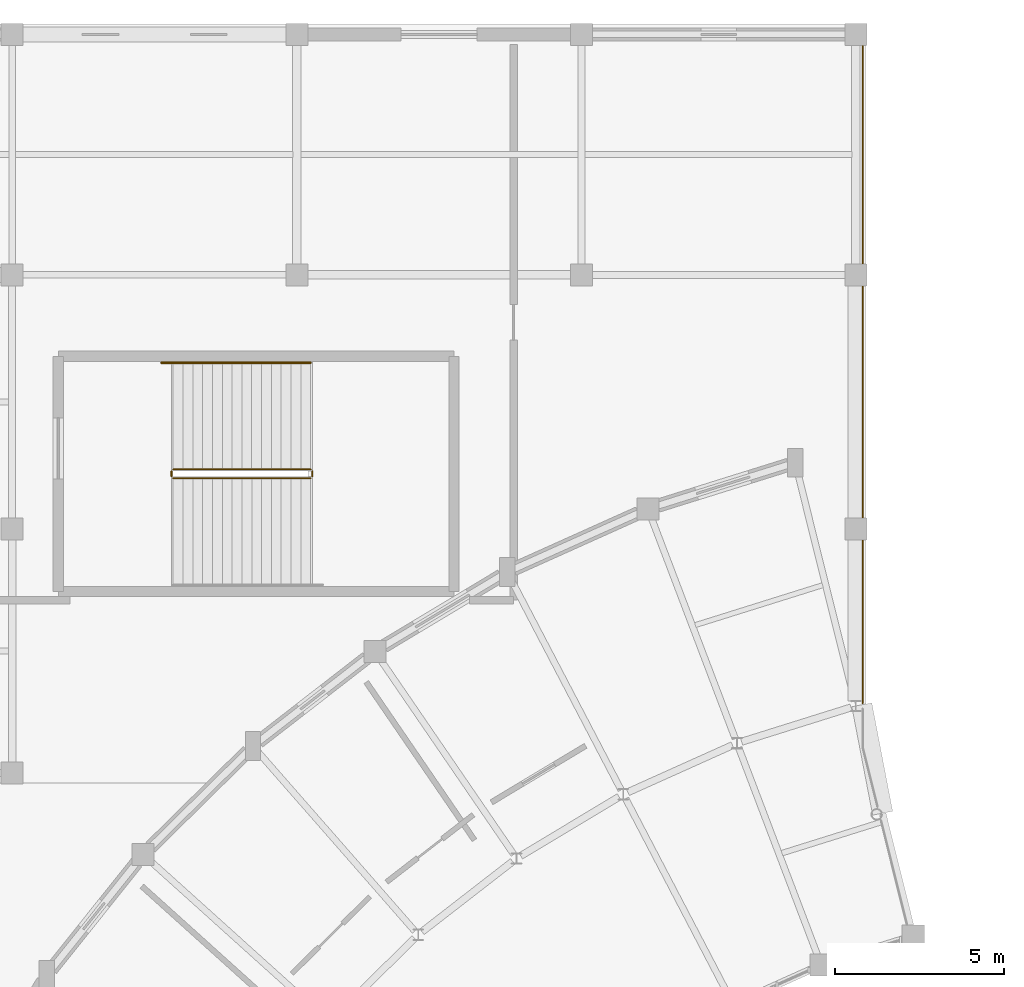
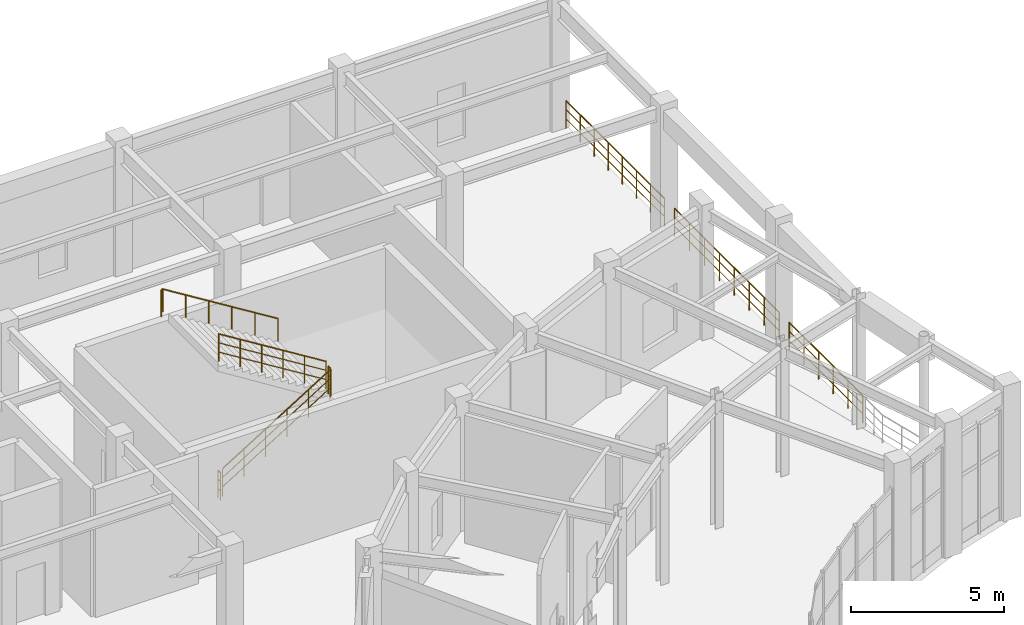
# One storey, part 89 of 93: 8 railings.
"""IFC4 building model written with IfcOpenShell, lengths in metres."""

from ifc_helpers import new_model, si_unit, direction, frame, origin, origin_2d, place, context, subcontext, project, spatial, circle, extrude, material, type_object, element, save


model = new_model("IFC4")

# Units and contexts
model_context = context("Model", 3, precision=1e-05, world=origin(), true_north=direction((0.0, 1.0)))
body_context = subcontext(model_context, "Body", "Model", "MODEL_VIEW")
ifc_project = project(units=[si_unit("LENGTHUNIT", "METRE"), si_unit("AREAUNIT", "SQUARE_METRE"), si_unit("VOLUMEUNIT", "CUBIC_METRE"), si_unit("PLANEANGLEUNIT", "RADIAN"), si_unit("MASSUNIT", "GRAM", prefix="KILO")], contexts=[model_context])

# Site, building, storey
site_placement = place(None, origin())
site = spatial("IfcSite", under=ifc_project, at=site_placement, CompositionType="ELEMENT")
building_placement = place(site_placement, origin())
building = spatial("IfcBuilding", under=site, at=building_placement, Name="Cinderbank Siding Concert Hall", CompositionType="ELEMENT")
storey_placement = place(building_placement, origin())
storey = spatial("IfcBuildingStorey", under=building, at=storey_placement, Name="L01", CompositionType="ELEMENT", Elevation=0.0)

# Railings
ifc_material = material(Name="Structural steel AS/NZS 3679.1 Grade 350 (340 MPa)", Category="steel")
railing_type_1 = type_object("IfcRailingType", Name="GD-01 Terrace & Perimeter Guardrail 1120mm", PredefinedType="GUARDRAIL", material=ifc_material)
railing_1_placement = place(storey_placement, frame((48.699951171875, 117.571533203125, 0.0)))
element("IfcRailing", 1, at=railing_1_placement, inside=storey, type_object=railing_type_1, Name="L01 Perimeter Guardrail #13", PredefinedType="GUARDRAIL", context=body_context, shape_type="SweptSolid", body=[
    extrude(circle(Radius=0.02392578125, at=origin_2d()), frame((0.0, 0.0, 1.09619140625), z_axis=(0.0, -1.0, 0.0), x_axis=(1.0, 0.0, 0.0)), (0.0, 0.0, 1.0), 6.443115234375),
    extrude(circle(Radius=0.01611328125, at=origin_2d()), frame((0.0, 0.0, 0.36962890625), z_axis=(0.0, -1.0, 0.0), x_axis=(1.0, 0.0, 0.0)), (0.0, 0.0, 1.0), 6.443115234375),
    extrude(circle(Radius=0.01611328125, at=origin_2d()), frame((0.0, 0.0, 0.7392578125), z_axis=(0.0, -1.0, 0.0), x_axis=(1.0, 0.0, 0.0)), (0.0, 0.0, 1.0), 6.443115234375),
    extrude(circle(Radius=0.02099609375, at=origin_2d()), origin(), (0.0, 0.0, 1.0), 1.072021484375),
    extrude(circle(Radius=0.02099609375, at=origin_2d()), frame((0.0, -0.92041015625, 0.0)), (0.0, 0.0, 1.0), 1.072021484375),
    extrude(circle(Radius=0.02099609375, at=origin_2d()), frame((0.0, -1.8408203125, 0.0)), (0.0, 0.0, 1.0), 1.072021484375),
    extrude(circle(Radius=0.02099609375, at=origin_2d()), frame((0.0, -2.76123046875, 0.0)), (0.0, 0.0, 1.0), 1.072021484375),
    extrude(circle(Radius=0.02099609375, at=origin_2d()), frame((0.0, -3.681884765625, 0.0)), (0.0, 0.0, 1.0), 1.072021484375),
    extrude(circle(Radius=0.02099609375, at=origin_2d()), frame((0.0, -4.602294921875, 0.0)), (0.0, 0.0, 1.0), 1.072021484375),
    extrude(circle(Radius=0.02099609375, at=origin_2d()), frame((0.0, -5.522705078125, 0.0)), (0.0, 0.0, 1.0), 1.072021484375),
    extrude(circle(Radius=0.02099609375, at=origin_2d()), frame((0.0, -6.443115234375, 0.0)), (0.0, 0.0, 1.0), 1.072021484375),
])
railing_2_placement = place(storey_placement, frame((48.699951171875, 110.4716796875, 0.0)))
element("IfcRailing", 2, at=railing_2_placement, inside=storey, type_object=railing_type_1, Name="L01 Perimeter Guardrail #14", PredefinedType="GUARDRAIL", context=body_context, shape_type="SweptSolid", body=[
    extrude(circle(Radius=0.02392578125, at=origin_2d()), frame((0.0, 0.0, 1.09619140625), z_axis=(0.0, -1.0, 0.0), x_axis=(1.0, 0.0, 0.0)), (0.0, 0.0, 1.0), 6.84326171875),
    extrude(circle(Radius=0.01611328125, at=origin_2d()), frame((0.0, 0.0, 0.36962890625), z_axis=(0.0, -1.0, 0.0), x_axis=(1.0, 0.0, 0.0)), (0.0, 0.0, 1.0), 6.84326171875),
    extrude(circle(Radius=0.01611328125, at=origin_2d()), frame((0.0, 0.0, 0.7392578125), z_axis=(0.0, -1.0, 0.0), x_axis=(1.0, 0.0, 0.0)), (0.0, 0.0, 1.0), 6.84326171875),
    extrude(circle(Radius=0.02099609375, at=origin_2d()), origin(), (0.0, 0.0, 1.0), 1.072021484375),
    extrude(circle(Radius=0.02099609375, at=origin_2d()), frame((0.0, -0.9775390625, 0.0)), (0.0, 0.0, 1.0), 1.072021484375),
    extrude(circle(Radius=0.02099609375, at=origin_2d()), frame((0.0, -1.955322265625, 0.0)), (0.0, 0.0, 1.0), 1.072021484375),
    extrude(circle(Radius=0.02099609375, at=origin_2d()), frame((0.0, -2.932861328125, 0.0)), (0.0, 0.0, 1.0), 1.072021484375),
    extrude(circle(Radius=0.02099609375, at=origin_2d()), frame((0.0, -3.910400390625, 0.0)), (0.0, 0.0, 1.0), 1.072021484375),
    extrude(circle(Radius=0.02099609375, at=origin_2d()), frame((0.0, -4.887939453125, 0.0)), (0.0, 0.0, 1.0), 1.072021484375),
    extrude(circle(Radius=0.02099609375, at=origin_2d()), frame((0.0, -5.86572265625, 0.0)), (0.0, 0.0, 1.0), 1.072021484375),
    extrude(circle(Radius=0.02099609375, at=origin_2d()), frame((0.0, -6.84326171875, 0.0)), (0.0, 0.0, 1.0), 1.072021484375),
])
railing_3_placement = place(storey_placement, frame((48.699951171875, 102.9716796875, 0.0)))
element("IfcRailing", 3, at=railing_3_placement, inside=storey, type_object=railing_type_1, Name="L01 Perimeter Guardrail #15", PredefinedType="GUARDRAIL", context=body_context, shape_type="SweptSolid", body=[
    extrude(circle(Radius=0.02392578125, at=origin_2d()), frame((0.0, 0.0, 1.09619140625), z_axis=(0.0, -1.0, 0.0), x_axis=(1.0, 0.0, 0.0)), (0.0, 0.0, 1.0), 4.812744140625),
    extrude(circle(Radius=0.01611328125, at=origin_2d()), frame((0.0, 0.0, 0.36962890625), z_axis=(0.0, -1.0, 0.0), x_axis=(1.0, 0.0, 0.0)), (0.0, 0.0, 1.0), 4.812744140625),
    extrude(circle(Radius=0.01611328125, at=origin_2d()), frame((0.0, 0.0, 0.7392578125), z_axis=(0.0, -1.0, 0.0), x_axis=(1.0, 0.0, 0.0)), (0.0, 0.0, 1.0), 4.812744140625),
    extrude(circle(Radius=0.02099609375, at=origin_2d()), origin(), (0.0, 0.0, 1.0), 1.072021484375),
    extrude(circle(Radius=0.02099609375, at=origin_2d()), frame((0.0, -0.962646484375, 0.0)), (0.0, 0.0, 1.0), 1.072021484375),
    extrude(circle(Radius=0.02099609375, at=origin_2d()), frame((0.0, -1.925048828125, 0.0)), (0.0, 0.0, 1.0), 1.072021484375),
    extrude(circle(Radius=0.02099609375, at=origin_2d()), frame((0.0, -2.8876953125, 0.0)), (0.0, 0.0, 1.0), 1.072021484375),
    extrude(circle(Radius=0.02099609375, at=origin_2d()), frame((0.0, -3.85009765625, 0.0)), (0.0, 0.0, 1.0), 1.072021484375),
    extrude(circle(Radius=0.02099609375, at=origin_2d()), frame((0.0, -4.812744140625, 0.0)), (0.0, 0.0, 1.0), 1.072021484375),
])
railing_type_2 = type_object("IfcRailingType", Name="STG-01 Stair Well Guardrail 1120mm", PredefinedType="GUARDRAIL", material=ifc_material)
railing_4_placement = place(storey_placement, frame((28.35009765625, 104.800048828125, 0.179931640625)))
element("IfcRailing", 4, at=railing_4_placement, inside=storey, type_object=railing_type_2, Name="L01 ST-05 stair guard 1", PredefinedType="GUARDRAIL", context=body_context, shape_type="SweptSolid", body=[
    extrude(circle(Radius=0.02392578125, at=origin_2d()), frame((0.0, 0.0, 1.09619140625), z_axis=(0.849627535208, 0.0, 0.527383211162), x_axis=(0.0, 1.0, 0.0)), (0.0, 0.0, 1.0), 4.7783203125),
    extrude(circle(Radius=0.01611328125, at=origin_2d()), frame((0.0, 0.0, 0.36962890625), z_axis=(0.849627535208, 0.0, 0.527383211162), x_axis=(0.0, 1.0, 0.0)), (0.0, 0.0, 1.0), 4.7783203125),
    extrude(circle(Radius=0.01611328125, at=origin_2d()), frame((0.0, 0.0, 0.7392578125), z_axis=(0.849627535208, 0.0, 0.527383211162), x_axis=(0.0, 1.0, 0.0)), (0.0, 0.0, 1.0), 4.7783203125),
    extrude(circle(Radius=0.02099609375, at=origin_2d()), origin(), (0.0, 0.0, 1.0), 1.072021484375),
    extrude(circle(Radius=0.02099609375, at=origin_2d()), frame((0.81201171875, 0.0, 0.50390625)), (0.0, 0.0, 1.0), 1.072021484375),
    extrude(circle(Radius=0.02099609375, at=origin_2d()), frame((1.6240234375, 0.0, 1.008056640625)), (0.0, 0.0, 1.0), 1.072021484375),
    extrude(circle(Radius=0.02099609375, at=origin_2d()), frame((2.435791015625, 0.0, 1.511962890625)), (0.0, 0.0, 1.0), 1.072021484375),
    extrude(circle(Radius=0.02099609375, at=origin_2d()), frame((3.247802734375, 0.0, 2.01611328125)), (0.0, 0.0, 1.0), 1.072021484375),
    extrude(circle(Radius=0.02099609375, at=origin_2d()), frame((4.059814453125, 0.0, 2.52001953125)), (0.0, 0.0, 1.0), 1.072021484375),
])
railing_5_placement = place(storey_placement, frame((32.4599609375, 104.85009765625, 2.699951171875)))
element("IfcRailing", 5, at=railing_5_placement, inside=storey, type_object=railing_type_2, Name="L01 ST-05 stair guard 2", PredefinedType="GUARDRAIL", context=body_context, shape_type="SweptSolid", body=[
    extrude(circle(Radius=0.02392578125, at=origin_2d()), frame((0.0, 0.0, 1.09619140625), z_axis=(0.0, 1.0, 0.0), x_axis=(-1.0, 0.0, 0.0)), (0.0, 0.0, 1.0), 0.159912109375),
    extrude(circle(Radius=0.01611328125, at=origin_2d()), frame((0.0, 0.0, 0.36962890625), z_axis=(0.0, 1.0, 0.0), x_axis=(-1.0, 0.0, 0.0)), (0.0, 0.0, 1.0), 0.159912109375),
    extrude(circle(Radius=0.01611328125, at=origin_2d()), frame((0.0, 0.0, 0.7392578125), z_axis=(0.0, 1.0, 0.0), x_axis=(-1.0, 0.0, 0.0)), (0.0, 0.0, 1.0), 0.159912109375),
    extrude(circle(Radius=0.02099609375, at=origin_2d()), origin(), (0.0, 0.0, 1.0), 1.072021484375),
    extrude(circle(Radius=0.02099609375, at=origin_2d()), frame((0.0, 0.159912109375, 0.0)), (0.0, 0.0, 1.0), 1.072021484375),
])
railing_6_placement = place(storey_placement, frame((32.409912109375, 105.06005859375, 2.8798828125)))
element("IfcRailing", 6, at=railing_6_placement, inside=storey, type_object=railing_type_2, Name="L01 ST-05 stair guard 3", PredefinedType="GUARDRAIL", context=body_context, shape_type="SweptSolid", body=[
    extrude(circle(Radius=0.02392578125, at=origin_2d()), frame((0.0, 0.0, 1.09619140625), z_axis=(-0.849627535208, 0.0, 0.527383211162), x_axis=(0.0, -1.0, 0.0)), (0.0, 0.0, 1.0), 4.7783203125),
    extrude(circle(Radius=0.01611328125, at=origin_2d()), frame((0.0, 0.0, 0.36962890625), z_axis=(-0.849627535208, 0.0, 0.527383211162), x_axis=(0.0, -1.0, 0.0)), (0.0, 0.0, 1.0), 4.7783203125),
    extrude(circle(Radius=0.01611328125, at=origin_2d()), frame((0.0, 0.0, 0.7392578125), z_axis=(-0.849627535208, 0.0, 0.527383211162), x_axis=(0.0, -1.0, 0.0)), (0.0, 0.0, 1.0), 4.7783203125),
    extrude(circle(Radius=0.02099609375, at=origin_2d()), origin(), (0.0, 0.0, 1.0), 1.072021484375),
    extrude(circle(Radius=0.02099609375, at=origin_2d()), frame((-0.81201171875, 0.0, 0.50390625)), (0.0, 0.0, 1.0), 1.072021484375),
    extrude(circle(Radius=0.02099609375, at=origin_2d()), frame((-1.6240234375, 0.0, 1.008056640625)), (0.0, 0.0, 1.0), 1.072021484375),
    extrude(circle(Radius=0.02099609375, at=origin_2d()), frame((-2.435791015625, 0.0, 1.511962890625)), (0.0, 0.0, 1.0), 1.072021484375),
    extrude(circle(Radius=0.02099609375, at=origin_2d()), frame((-3.247802734375, 0.0, 2.01611328125)), (0.0, 0.0, 1.0), 1.072021484375),
    extrude(circle(Radius=0.02099609375, at=origin_2d()), frame((-4.059814453125, 0.0, 2.52001953125)), (0.0, 0.0, 1.0), 1.072021484375),
])
railing_7_placement = place(storey_placement, frame((28.300048828125, 104.85009765625, 0.0)))
element("IfcRailing", 7, at=railing_7_placement, inside=storey, type_object=railing_type_2, Name="L01 ST-05 stair guard 4", PredefinedType="GUARDRAIL", context=body_context, shape_type="SweptSolid", body=[
    extrude(circle(Radius=0.02392578125, at=origin_2d()), frame((0.0, 0.0, 1.09619140625), z_axis=(0.0, 1.0, 0.0), x_axis=(-1.0, 0.0, 0.0)), (0.0, 0.0, 1.0), 0.159912109375),
    extrude(circle(Radius=0.01611328125, at=origin_2d()), frame((0.0, 0.0, 0.36962890625), z_axis=(0.0, 1.0, 0.0), x_axis=(-1.0, 0.0, 0.0)), (0.0, 0.0, 1.0), 0.159912109375),
    extrude(circle(Radius=0.01611328125, at=origin_2d()), frame((0.0, 0.0, 0.7392578125), z_axis=(0.0, 1.0, 0.0), x_axis=(-1.0, 0.0, 0.0)), (0.0, 0.0, 1.0), 0.159912109375),
    extrude(circle(Radius=0.02099609375, at=origin_2d()), origin(), (0.0, 0.0, 1.0), 1.072021484375),
    extrude(circle(Radius=0.02099609375, at=origin_2d()), frame((0.0, 0.159912109375, 0.0)), (0.0, 0.0, 1.0), 1.072021484375),
])
railing_type_3 = type_object("IfcRailingType", Name="STH-01 Stair Pitch Handrail 920mm", PredefinedType="HANDRAIL", material=ifc_material)
railing_8_placement = place(storey_placement, frame((32.409912109375, 108.2099609375, 2.8798828125)))
element("IfcRailing", 8, at=railing_8_placement, inside=storey, type_object=railing_type_3, Name="L01 ST-05 stair handrail 2", PredefinedType="HANDRAIL", context=body_context, shape_type="SweptSolid", body=[
    extrude(circle(Radius=0.02392578125, at=origin_2d()), frame((0.0, 0.0, 0.89599609375), z_axis=(-0.849615114927, 0.0, 0.52740322002), x_axis=(0.0, -1.0, 0.0)), (0.0, 0.0, 1.0), 5.119873046875),
    extrude(circle(Radius=0.02392578125, at=origin_2d()), frame((-4.349853515625, 0.0, 3.59619140625), z_axis=(-1.0, 0.0, 0.0), x_axis=(0.0, -1.0, 0.0)), (0.0, 0.0, 1.0), 0.06005859375),
    extrude(circle(Radius=0.02099609375, at=origin_2d()), origin(), (0.0, 0.0, 1.0), 0.871826171875),
    extrude(circle(Radius=0.02099609375, at=origin_2d()), frame((-0.869873046875, 0.0, 0.5400390625)), (0.0, 0.0, 1.0), 0.871826171875),
    extrude(circle(Radius=0.02099609375, at=origin_2d()), frame((-1.739990234375, 0.0, 1.080078125)), (0.0, 0.0, 1.0), 0.871826171875),
    extrude(circle(Radius=0.02099609375, at=origin_2d()), frame((-2.60986328125, 0.0, 1.6201171875)), (0.0, 0.0, 1.0), 0.871826171875),
    extrude(circle(Radius=0.02099609375, at=origin_2d()), frame((-3.47998046875, 0.0, 2.16015625)), (0.0, 0.0, 1.0), 0.871826171875),
    extrude(circle(Radius=0.02099609375, at=origin_2d()), frame((-4.349853515625, 0.0, 2.7001953125)), (0.0, 0.0, 1.0), 0.871826171875),
    extrude(circle(Radius=0.02099609375, at=origin_2d()), frame((-4.409912109375, 0.0, 2.520263671875)), (0.0, 0.0, 1.0), 1.0517578125),
])

save(model, "model.ifc")
